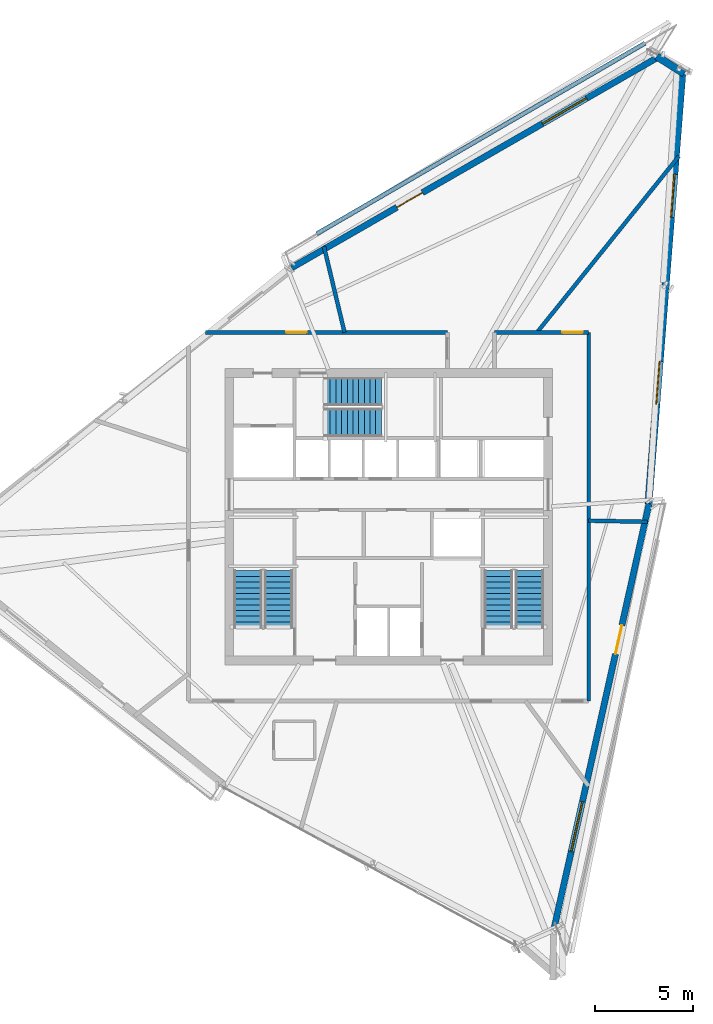
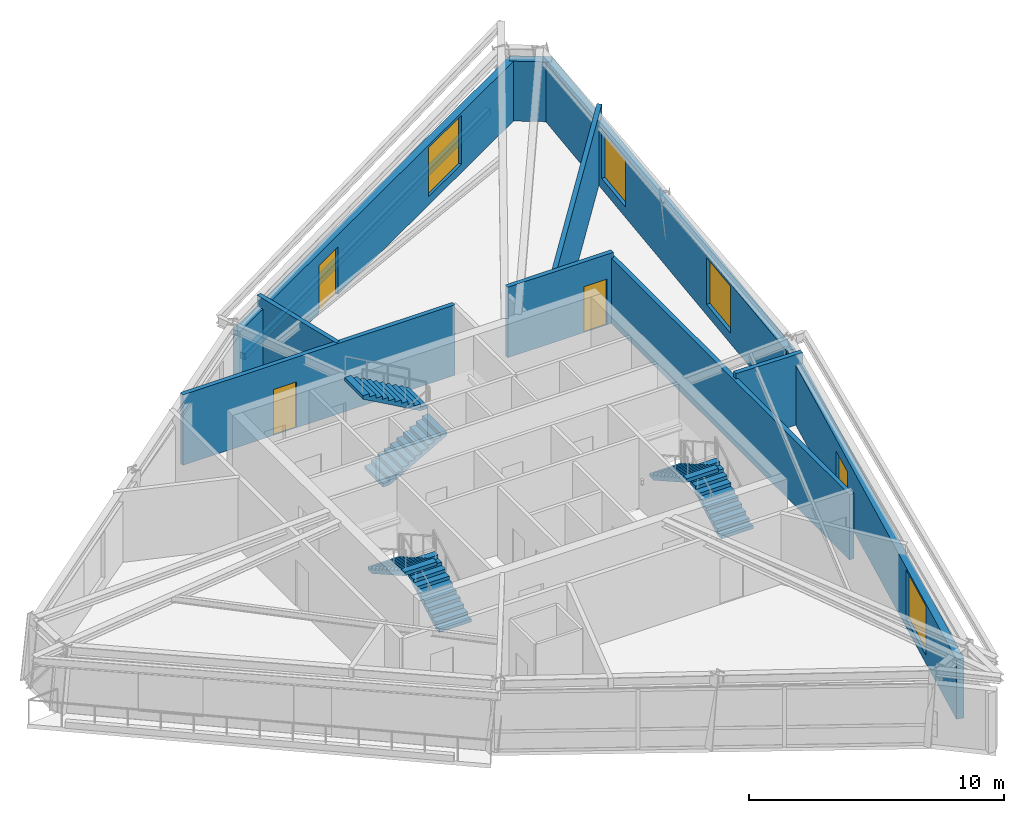
# One storey, part 12 of 15: 11 walls, 6 stair flights, 4 doors, 4 windows, 8 openings, 3 elements without a shape of their own.
"""IFC4 building model written with IfcOpenShell, lengths in metres."""

import ifcopenshell
import ifcopenshell.guid

model = None  # the IFC model being written
_history = None  # IfcOwnerHistory: only IFC2X3 demands one
_inside = {}  # id of a spatial element -> (the spatial element, [elements in it])
_under = {}  # id of a project, library or spatial element -> (it, [spatial elements below it])
_declared = {}  # id of a project -> (the project, [libraries it declares])
_typed = {}  # id of a type object -> (the type object, [elements of that type])
_made_of = {}  # id of a material, layer set ... -> (it, [elements and type objects made of it])


def new_model(schema):
    """Start an empty IFC model of exactly this schema.

    Asked for "IFC4X3", IfcOpenShell would pick the latest addendum, in which some entities
    have other attributes; the version numbers below select the first issue.
    IFC2X3 requires an IfcOwnerHistory on every rooted entity: one is made here for all.
    """
    global model, _history
    if schema == "IFC4X3":
        model = ifcopenshell.file(schema_version=(4, 3, 0, 0))
    else:
        model = ifcopenshell.file(schema=schema)
    _inside.clear()
    _under.clear()
    _declared.clear()
    _typed.clear()
    _made_of.clear()
    _history = None
    if model.schema == "IFC2X3":
        org = make("IfcOrganization", Name="unknown")
        user = make(
            "IfcPersonAndOrganization",
            ThePerson=make("IfcPerson", FamilyName="unknown"),
            TheOrganization=org,
        )
        app = make(
            "IfcApplication",
            ApplicationDeveloper=org,
            Version="unknown",
            ApplicationFullName="unknown",
            ApplicationIdentifier="unknown",
        )
        _history = make(
            "IfcOwnerHistory",
            OwningUser=user,
            OwningApplication=app,
            ChangeAction="ADDED",
            CreationDate=0,
        )
    return model


def make(cls, **values):
    """One entity of the class cls with the attributes given. An attribute that is None is left unset."""
    return model.create_entity(
        cls, **{name: value for name, value in values.items() if value is not None}
    )


def rooted(cls, **values):
    """An entity with a GlobalId (a new one), such as an element, a storey or a relation."""
    return make(cls, GlobalId=ifcopenshell.guid.new(), OwnerHistory=_history, **values)


def si_unit(unit_type, name, prefix=None):
    """IfcSIUnit, for example si_unit("LENGTHUNIT", "METRE", prefix="MILLI")."""
    return make("IfcSIUnit", UnitType=unit_type, Prefix=prefix, Name=name)


def assignment(units):
    """IfcUnitAssignment: the units of a project."""
    return None if units is None else make("IfcUnitAssignment", Units=units)


def point(xyz):
    """IfcCartesianPoint."""
    return None if xyz is None else make("IfcCartesianPoint", Coordinates=xyz)


def direction(xyz):
    """IfcDirection."""
    return None if xyz is None else make("IfcDirection", DirectionRatios=xyz)


def frame(location, z_axis=None, x_axis=None):
    """IfcAxis2Placement3D, a coordinate frame: its origin and axes. An axis left out is left unset."""
    return make(
        "IfcAxis2Placement3D",
        Location=point(location),
        Axis=direction(z_axis),
        RefDirection=direction(x_axis),
    )


def frame_2d(location, x_axis=None):
    """IfcAxis2Placement2D, a coordinate frame in the plane: its origin and x axis."""
    return make(
        "IfcAxis2Placement2D", Location=point(location), RefDirection=direction(x_axis)
    )


def origin():
    """The frame at (0, 0, 0) with its axes left unset."""
    return frame((0.0, 0.0, 0.0))


def place(relative_to, where):
    """IfcLocalPlacement: puts the frame where relative to a parent placement (None: the world)."""
    return make(
        "IfcLocalPlacement", PlacementRelTo=relative_to, RelativePlacement=where
    )


def context(
    kind, dimensions, precision=None, world=None, true_north=None, identifier=None
):
    """IfcGeometricRepresentationContext, for example the 3D "Model" context."""
    return make(
        "IfcGeometricRepresentationContext",
        ContextIdentifier=identifier,
        ContextType=kind,
        CoordinateSpaceDimension=dimensions,
        Precision=precision,
        WorldCoordinateSystem=world,
        TrueNorth=true_north,
    )


def subcontext(parent, identifier, kind, view, scale=None):
    """IfcGeometricRepresentationSubContext, for example "Body" below "Model"."""
    return make(
        "IfcGeometricRepresentationSubContext",
        ContextIdentifier=identifier,
        ContextType=kind,
        ParentContext=parent,
        TargetScale=scale,
        TargetView=view,
    )


def project(units=None, contexts=None):
    """IfcProject with its units and contexts."""
    return rooted(
        "IfcProject",
        Name="project",
        RepresentationContexts=contexts,
        UnitsInContext=assignment(units),
    )


def spatial(cls, under=None, at=None, **own):
    """A site, building, storey or space (cls), placed at a placement, below another one or the project."""
    s = rooted(cls, ObjectPlacement=at, **own)
    if under is not None:
        _under.setdefault(under.id(), (under, []))[1].append(s)
    return s


def polyline(points):
    """IfcPolyline through the points."""
    return make("IfcPolyline", Points=[point(p) for p in points])


def profile(cls, at=None, kind="AREA", **sizes):
    """A parametric profile (cls). Its sizes go by their IFC names, for example OverallWidth=200.0."""
    return make(cls, ProfileType=kind, Position=at, **sizes)


def rectangle(**sizes):
    """IfcRectangleProfileDef."""
    return profile("IfcRectangleProfileDef", **sizes)


def outline(outer, holes=None, kind="AREA"):
    """IfcArbitraryClosedProfileDef: a profile drawn as a closed curve; with holes, ...WithVoids."""
    if holes is None:
        return make("IfcArbitraryClosedProfileDef", ProfileType=kind, OuterCurve=outer)
    return make(
        "IfcArbitraryProfileDefWithVoids",
        ProfileType=kind,
        OuterCurve=outer,
        InnerCurves=holes,
    )


def extrude(swept, where, along, depth):
    """IfcExtrudedAreaSolid: the profile swept, set in the frame where, extruded along a direction by depth."""
    return make(
        "IfcExtrudedAreaSolid",
        SweptArea=swept,
        Position=where,
        ExtrudedDirection=direction(along),
        Depth=depth,
    )


def shape(context_of_items, identifier, shape_type, items):
    """IfcShapeRepresentation: the items that make up one representation, for example the "Body"."""
    return make(
        "IfcShapeRepresentation",
        ContextOfItems=context_of_items,
        RepresentationIdentifier=identifier,
        RepresentationType=shape_type,
        Items=items,
    )


def source(mapping_origin, context_of_items, identifier, shape_type, items):
    """IfcRepresentationMap: a shape defined once, which mapped items show again and again."""
    return make(
        "IfcRepresentationMap",
        MappingOrigin=mapping_origin,
        MappedRepresentation=shape(context_of_items, identifier, shape_type, items),
    )


def transform(
    local_origin,
    x_axis=None,
    y_axis=None,
    z_axis=None,
    scale=None,
    scale2=None,
    scale3=None,
    uniform=True,
):
    """IfcCartesianTransformationOperator3D, or its non-uniform kind. x_axis, y_axis, z_axis: its Axis1, 2, 3."""
    if uniform:
        return make(
            "IfcCartesianTransformationOperator3D",
            Axis1=direction(x_axis),
            Axis2=direction(y_axis),
            LocalOrigin=point(local_origin),
            Scale=scale,
            Axis3=direction(z_axis),
        )
    return make(
        "IfcCartesianTransformationOperator3DnonUniform",
        Axis1=direction(x_axis),
        Axis2=direction(y_axis),
        LocalOrigin=point(local_origin),
        Scale=scale,
        Axis3=direction(z_axis),
        Scale2=scale2,
        Scale3=scale3,
    )


def mapped(mapping_source, mapping_target):
    """IfcMappedItem: shows the shape of a source again, moved by a transform."""
    return make(
        "IfcMappedItem", MappingSource=mapping_source, MappingTarget=mapping_target
    )


def material(Name=None, Category=None):
    """IfcMaterial."""
    return make("IfcMaterial", Name=Name, Category=Category)


def layer(
    of_material, thickness, ventilated=None, Name=None, Category=None, Priority=None
):
    """IfcMaterialLayer: one layer of a wall or slab, of a material (None: an air gap)."""
    return make(
        "IfcMaterialLayer",
        Material=of_material,
        LayerThickness=thickness,
        IsVentilated=ventilated,
        Name=Name,
        Category=Category,
        Priority=Priority,
    )


def layer_set(layers, Name=None):
    """IfcMaterialLayerSet."""
    return make("IfcMaterialLayerSet", MaterialLayers=layers, LayerSetName=Name)


def made_of(thing, what):
    """Note that an element or type object is made of a material, layer set ...; save() writes the relation."""
    if what is not None:
        _made_of.setdefault(what.id(), (what, []))[1].append(thing)
    return thing


def type_object(cls, material=None, **own):
    """A type object (cls), such as IfcWallType, which elements share."""
    return made_of(rooted(cls, **own), material)


def type_shapes(of_type, sources):
    """Give a type object the sources (RepresentationMaps) that its elements show as mapped items."""
    of_type.RepresentationMaps = sources


def element(
    cls,
    number,
    at=None,
    inside=None,
    cuts=None,
    type_object=None,
    material=None,
    context=None,
    identifier="Body",
    shape_type=None,
    held_by="IfcProductDefinitionShape",
    body=None,
    shapes=None,
    **own,
):
    """One element of the class cls, such as IfcWall. Its Tag is "e" and its number.

    at: its placement. inside: the storey or other place that contains it. cuts: it is an
    opening in that element (IfcRelVoidsElement). A single representation is given by context,
    identifier, shape_type and body (its items); several are given by shapes. held_by: the class
    of the entity that holds the representations. save() writes the other relations.
    """
    e = rooted(cls, Tag="e%d" % number, ObjectPlacement=at, **own)
    if body is not None:
        shapes = [shape(context, identifier, shape_type, body)]
    if shapes is not None:
        e.Representation = make(held_by, Representations=shapes)
    if inside is not None:
        _inside.setdefault(inside.id(), (inside, []))[1].append(e)
    if cuts is not None:
        rooted(
            "IfcRelVoidsElement", RelatingBuildingElement=cuts, RelatedOpeningElement=e
        )
    if type_object is not None:
        _typed.setdefault(type_object.id(), (type_object, []))[1].append(e)
    return made_of(e, material)


def fill(opening, filler):
    """IfcRelFillsElement: the door or window that sits in an opening."""
    return rooted(
        "IfcRelFillsElement",
        RelatingOpeningElement=opening,
        RelatedBuildingElement=filler,
    )


def aggregate(whole, parts):
    """IfcRelAggregates: a whole, such as a stair, and the parts it consists of."""
    return rooted("IfcRelAggregates", RelatingObject=whole, RelatedObjects=parts)


def save(model, path):
    """Write the relations noted so far, then the file.

    IfcRelAggregates (storeys below a building ...), IfcRelContainedInSpatialStructure (elements
    in a storey), IfcRelDefinesByType, IfcRelAssociatesMaterial and IfcRelDeclares: one each for
    every whole, place, type object, material and project.
    """
    for whole, parts in _under.values():
        aggregate(whole, parts)
    for where, things in _inside.values():
        rooted(
            "IfcRelContainedInSpatialStructure",
            RelatedElements=things,
            RelatingStructure=where,
        )
    for kind, things in _typed.values():
        rooted("IfcRelDefinesByType", RelatedObjects=things, RelatingType=kind)
    for what, things in _made_of.values():
        rooted("IfcRelAssociatesMaterial", RelatedObjects=things, RelatingMaterial=what)
    for by, libraries in _declared.values():
        rooted("IfcRelDeclares", RelatingContext=by, RelatedDefinitions=libraries)
    model.write(path)


model = new_model("IFC4")

# Units and contexts
model_context = context("Model", 3, precision=1e-05, world=origin(), true_north=direction((0.0, 1.0)))
body_context = subcontext(model_context, "Body", "Model", "MODEL_VIEW")
ifc_project = project(units=[si_unit("LENGTHUNIT", "METRE"), si_unit("AREAUNIT", "SQUARE_METRE"), si_unit("VOLUMEUNIT", "CUBIC_METRE"), si_unit("PLANEANGLEUNIT", "RADIAN"), si_unit("MASSUNIT", "GRAM", prefix="KILO")], contexts=[model_context])

# Site, building, storey
site_placement = place(None, origin())
site = spatial("IfcSite", under=ifc_project, at=site_placement, CompositionType="ELEMENT")
building_placement = place(site_placement, origin())
building = spatial("IfcBuilding", under=site, at=building_placement, Name="Olszyna Solenne Hotel", CompositionType="ELEMENT")
storey_placement = place(building_placement, frame((0.0, 0.0, 270.5)))
storey = spatial("IfcBuildingStorey", under=building, at=storey_placement, Name="L72", CompositionType="ELEMENT", Elevation=270.5)

# Wall, openings, door, window
ifc_material_1 = material(Name="Precast concrete C45/55", Category="concrete")
ifc_layer_1 = layer(ifc_material_1, 0.320068359375, Name="Precast concrete C45/55")
ifc_layer_set_1 = layer_set([ifc_layer_1], Name="Precast concrete C45/55")
wall_type_1 = type_object("IfcWallType", Name="WL-EX320", PredefinedType="SOLIDWALL", material=ifc_layer_set_1)
wall_1_placement = place(storey_placement, frame((51.279541015625, 27.26611328125, 0.0), z_axis=(0.0, 0.0, 1.0), x_axis=(-0.218426207381, -0.975853468472, 0.0)))
wall_1 = element("IfcWall", 1, at=wall_1_placement, inside=storey, type_object=wall_type_1, Name="Exterior terracotta-precast frame wall WL-EX320 EW-L72-01", PredefinedType="SOLIDWALL", context=body_context, shape_type="SweptSolid", body=[
    extrude(rectangle(XDim=22.186767578125, YDim=0.320068359375, at=frame_2d((11.09326171875, 0.0))), origin(), (0.0, 0.0, 1.0), 2.8720703125),
])
opening_1_placement = place(wall_1_placement, frame((6.35009765625, 0.0, 0.0)))
opening_1 = element("IfcOpeningElement", 2, at=opening_1_placement, cuts=wall_1, Name="Opening LDG-L72-3", PredefinedType="OPENING", context=body_context, shape_type="SweptSolid", body=[
    extrude(rectangle(XDim=1.5, YDim=2.300048828125, at=frame_2d((0.75, 1.14990234375))), frame((0.0, 0.169921875, 0.0), z_axis=(0.0, -1.0, 0.0), x_axis=(1.0, 0.0, 0.0)), (0.0, 0.0, 1.0), 0.340087890625),
])
opening_2_placement = place(wall_1_placement, frame((15.568115234375, 0.0, 0.402099609375)))
opening_2 = element("IfcOpeningElement", 3, at=opening_2_placement, cuts=wall_1, Name="Opening WN-L72-480", PredefinedType="OPENING", context=body_context, shape_type="SweptSolid", body=[
    extrude(rectangle(XDim=2.60009765625, YDim=2.35009765625, at=frame_2d((1.300048828125, 1.175048828125))), frame((0.0, 0.169921875, 0.0), z_axis=(0.0, -1.0, 0.0), x_axis=(1.0, 0.0, 0.0)), (0.0, 0.0, 1.0), 0.340087890625),
])
ifc_material_2 = material(Name="Anodised bronze aluminium", Category="aluminium")
door_type_1 = type_object("IfcDoorType", Name="DR-LG2", OperationType="DOUBLE_DOOR_SINGLE_SWING", PredefinedType="DOOR", material=ifc_material_2)
shared_shape_1 = source(origin(), body_context, "Body", "SweptSolid", [
    extrude(rectangle(XDim=1.5, YDim=2.300048828125, at=frame_2d((0.75, 1.14990234375))), frame((0.0, 0.02490234375, 0.0), z_axis=(0.0, -1.0, 0.0), x_axis=(1.0, 0.0, 0.0)), (0.0, 0.0, 1.0), 0.050048828125),
])
type_shapes(door_type_1, [shared_shape_1])
door_1_placement = place(opening_1_placement, origin())
door_1 = element("IfcDoor", 4, at=door_1_placement, inside=storey, type_object=door_type_1, Name="Exterior loggia balcony door DR-LG2 LDG-L72-3", OperationType="DOUBLE_DOOR_SINGLE_SWING", OverallHeight=2.300048828125, OverallWidth=1.5, PredefinedType="DOOR", context=body_context, shape_type="MappedRepresentation", body=[
    mapped(shared_shape_1, transform((0.0, 0.0, 0.0), x_axis=(1.0, 0.0, 0.0), y_axis=(0.0, 1.0, 0.0), z_axis=(0.0, 0.0, 1.0), scale=1.0)),
])
fill(opening_1, door_1)
ifc_material_3 = material(Name="Low-E triple glazing", Category="glass")
window_type_1 = type_object("IfcWindowType", Name="WN-ST1", PartitioningType="SINGLE_PANEL", PredefinedType="WINDOW", material=ifc_material_3)
shared_shape_2 = source(origin(), body_context, "Body", "SweptSolid", [
    extrude(rectangle(XDim=2.60009765625, YDim=2.35009765625, at=frame_2d((1.300048828125, 1.175048828125))), frame((0.0, 0.030029296875, 0.0), z_axis=(0.0, -1.0, 0.0), x_axis=(1.0, 0.0, 0.0)), (0.0, 0.0, 1.0), 0.06005859375),
])
type_shapes(window_type_1, [shared_shape_2])
window_1_placement = place(opening_2_placement, origin())
window_1 = element("IfcWindow", 5, at=window_1_placement, inside=storey, type_object=window_type_1, Name="Loggia room window WN-ST1 WN-L72-480", OverallHeight=2.35009765625, OverallWidth=2.60009765625, PartitioningType="SINGLE_PANEL", PredefinedType="WINDOW", context=body_context, shape_type="MappedRepresentation", body=[
    mapped(shared_shape_2, transform((0.0, 0.0, 0.0), x_axis=(1.0, 0.0, 0.0), y_axis=(0.0, 1.0, 0.0), z_axis=(0.0, 0.0, 1.0), scale=1.0)),
])
fill(opening_2, window_1)

wall_2_placement = place(storey_placement, frame((33.057373046875, 39.2939453125, 0.0), z_axis=(0.0, 0.0, 1.0), x_axis=(0.866967626838, 0.49836445902, 0.0)))
wall_2 = element("IfcWall", 6, at=wall_2_placement, inside=storey, type_object=wall_type_1, Name="Exterior terracotta-precast frame wall WL-EX320 EW-L72-08", PredefinedType="SOLIDWALL", context=body_context, shape_type="SweptSolid", body=[
    extrude(rectangle(XDim=21.67431640625, YDim=0.320068359375, at=frame_2d((10.837158203125, 0.0))), origin(), (0.0, 0.0, 1.0), 2.8720703125),
])
opening_3_placement = place(wall_2_placement, frame((6.18603515625, 0.0, 0.0)))
opening_3 = element("IfcOpeningElement", 7, at=opening_3_placement, cuts=wall_2, Name="Opening LDG-L72-1", PredefinedType="OPENING", context=body_context, shape_type="SweptSolid", body=[
    extrude(rectangle(XDim=1.5, YDim=2.300048828125, at=frame_2d((0.75, 1.14990234375))), frame((0.0, 0.169921875, 0.0), z_axis=(0.0, -1.0, 0.0), x_axis=(1.0, 0.0, 0.0)), (0.0, 0.0, 1.0), 0.340087890625),
])
opening_4_placement = place(wall_2_placement, frame((14.739013671875, 0.0, 0.402099609375)))
opening_4 = element("IfcOpeningElement", 8, at=opening_4_placement, cuts=wall_2, Name="Opening WN-L72-484", PredefinedType="OPENING", context=body_context, shape_type="SweptSolid", body=[
    extrude(rectangle(XDim=2.60009765625, YDim=2.35009765625, at=frame_2d((1.300048828125, 1.175048828125))), frame((0.0, 0.169921875, 0.0), z_axis=(0.0, -1.0, 0.0), x_axis=(1.0, 0.0, 0.0)), (0.0, 0.0, 1.0), 0.340087890625),
])
door_2_placement = place(opening_3_placement, origin())
door_2 = element("IfcDoor", 9, at=door_2_placement, inside=storey, type_object=door_type_1, Name="Exterior loggia balcony door DR-LG2 LDG-L72-1", OperationType="DOUBLE_DOOR_SINGLE_SWING", OverallHeight=2.300048828125, OverallWidth=1.5, PredefinedType="DOOR", context=body_context, shape_type="MappedRepresentation", body=[
    mapped(shared_shape_1, transform((0.0, 0.0, 0.0), x_axis=(1.0, 0.0, 0.0), y_axis=(0.0, 1.0, 0.0), z_axis=(0.0, 0.0, 1.0), scale=1.0)),
])
fill(opening_3, door_2)
window_2_placement = place(opening_4_placement, origin())
window_2 = element("IfcWindow", 10, at=window_2_placement, inside=storey, type_object=window_type_1, Name="Loggia room window WN-ST1 WN-L72-484", OverallHeight=2.35009765625, OverallWidth=2.60009765625, PartitioningType="SINGLE_PANEL", PredefinedType="WINDOW", context=body_context, shape_type="MappedRepresentation", body=[
    mapped(shared_shape_2, transform((0.0, 0.0, 0.0), x_axis=(1.0, 0.0, 0.0), y_axis=(0.0, 1.0, 0.0), z_axis=(0.0, 0.0, 1.0), scale=1.0)),
])
fill(opening_4, window_2)

# Wall
ifc_material_4 = material(Name="Terracotta cladding on precast concrete C45/55", Category="masonry")
ifc_layer_2 = layer(ifc_material_4, 0.3798828125, Name="Terracotta cladding on precast concrete C45/55")
ifc_layer_set_2 = layer_set([ifc_layer_2], Name="Terracotta cladding on precast concrete C45/55")
wall_type_2 = type_object("IfcWallType", Name="WL-EX380", PredefinedType="SOLIDWALL", material=ifc_layer_set_2)
wall_3_placement = place(storey_placement, frame((51.66748046875, 50.073486328125, 0.0), z_axis=(0.0, 0.0, 1.0), x_axis=(0.845747848384, -0.533582774229, 0.0)))
element("IfcWall", 11, at=wall_3_placement, inside=storey, type_object=wall_type_2, Name="Exterior terracotta-precast frame wall WL-EX380 EW-L72-09", PredefinedType="SOLIDWALL", context=body_context, shape_type="SweptSolid", body=[
    extrude(rectangle(XDim=1.6572265625, YDim=0.3798828125, at=frame_2d((0.82861328125, 0.0))), origin(), (0.0, 0.0, 1.0), 2.8720703125),
])

# Wall, openings, windows
wall_4_placement = place(storey_placement, frame((52.98095703125, 49.364990234375, 0.0), z_axis=(0.0, 0.0, 1.0), x_axis=(-0.078193389746, -0.99693820962, 0.0)))
wall_4 = element("IfcWall", 12, at=wall_4_placement, inside=storey, type_object=wall_type_2, Name="Exterior terracotta-precast frame wall WL-EX380 EW-L72-10", PredefinedType="SOLIDWALL", context=body_context, shape_type="SweptSolid", body=[
    extrude(rectangle(XDim=22.186767578125, YDim=0.3798828125, at=frame_2d((11.09326171875, 0.0))), origin(), (0.0, 0.0, 1.0), 2.8720703125),
])
opening_5_placement = place(wall_4_placement, frame((5.31201171875, 0.0, 0.501953125)))
opening_5 = element("IfcOpeningElement", 13, at=opening_5_placement, cuts=wall_4, Name="Opening WN-L72-485", PredefinedType="OPENING", context=body_context, shape_type="SweptSolid", body=[
    extrude(rectangle(XDim=2.199951171875, YDim=2.25, at=frame_2d((1.10009765625, 1.125))), frame((0.0, 0.199951171875, 0.0), z_axis=(0.0, -1.0, 0.0), x_axis=(1.0, 0.0, 0.0)), (0.0, 0.0, 1.0), 0.39990234375),
])
opening_6_placement = place(wall_4_placement, frame((14.8740234375, 0.0, 0.501953125)))
opening_6 = element("IfcOpeningElement", 14, at=opening_6_placement, cuts=wall_4, Name="Opening WN-L72-486", PredefinedType="OPENING", context=body_context, shape_type="SweptSolid", body=[
    extrude(rectangle(XDim=2.199951171875, YDim=2.25, at=frame_2d((1.10009765625, 1.125))), frame((0.0, 0.199951171875, 0.0), z_axis=(0.0, -1.0, 0.0), x_axis=(1.0, 0.0, 0.0)), (0.0, 0.0, 1.0), 0.39990234375),
])
window_type_2 = type_object("IfcWindowType", Name="WN-HT2", PartitioningType="SINGLE_PANEL", PredefinedType="WINDOW", material=ifc_material_3)
shared_shape_3 = source(origin(), body_context, "Body", "SweptSolid", [
    extrude(rectangle(XDim=2.199951171875, YDim=2.25, at=frame_2d((1.10009765625, 1.125))), frame((0.0, 0.030029296875, 0.0), z_axis=(0.0, -1.0, 0.0), x_axis=(1.0, 0.0, 0.0)), (0.0, 0.0, 1.0), 0.06005859375),
])
type_shapes(window_type_2, [shared_shape_3])
window_3_placement = place(opening_5_placement, origin())
window_3 = element("IfcWindow", 15, at=window_3_placement, inside=storey, type_object=window_type_2, Name="Exterior facade window WN-HT2 WN-L72-485", OverallHeight=2.25, OverallWidth=2.199951171875, PartitioningType="SINGLE_PANEL", PredefinedType="WINDOW", context=body_context, shape_type="MappedRepresentation", body=[
    mapped(shared_shape_3, transform((0.0, 0.0, 0.0), x_axis=(1.0, 0.0, 0.0), y_axis=(0.0, 1.0, 0.0), z_axis=(0.0, 0.0, 1.0), scale=1.0)),
])
fill(opening_5, window_3)
window_4_placement = place(opening_6_placement, origin())
window_4 = element("IfcWindow", 16, at=window_4_placement, inside=storey, type_object=window_type_2, Name="Exterior facade window WN-HT2 WN-L72-486", OverallHeight=2.25, OverallWidth=2.199951171875, PartitioningType="SINGLE_PANEL", PredefinedType="WINDOW", context=body_context, shape_type="MappedRepresentation", body=[
    mapped(shared_shape_3, transform((0.0, 0.0, 0.0), x_axis=(1.0, 0.0, 0.0), y_axis=(0.0, 1.0, 0.0), z_axis=(0.0, 0.0, 1.0), scale=1.0)),
])
fill(opening_6, window_4)

# Walls
ifc_layer_3 = layer(ifc_material_1, 0.219970703125, Name="Precast concrete C45/55")
ifc_layer_set_3 = layer_set([ifc_layer_3], Name="Precast concrete C45/55")
wall_type_3 = type_object("IfcWallType", Name="WL-PR220", PredefinedType="PARAPET", material=ifc_layer_set_3)
wall_5_placement = place(storey_placement, frame((51.070556640625, 50.743896484375, 0.0), z_axis=(0.0, 0.0, 1.0), x_axis=(-0.864808735234, -0.502101435433, 0.0)))
element("IfcWall", 17, at=wall_5_placement, inside=storey, type_object=wall_type_3, Name="Loggia balcony precast kerb PR-L72-LG1", PredefinedType="PARAPET", context=body_context, shape_type="SweptSolid", body=[
    extrude(rectangle(XDim=19.355224609375, YDim=0.219970703125, at=frame_2d((9.677734375, 0.0))), origin(), (0.0, 0.0, 1.0), 0.300048828125),
])
ifc_material_5 = material(Name="Acoustic gypsum partition", Category="gypsum")
ifc_layer_4 = layer(ifc_material_5, 0.199951171875, Name="Acoustic gypsum partition")
ifc_layer_set_4 = layer_set([ifc_layer_4], Name="Acoustic gypsum partition")
wall_type_4 = type_object("IfcWallType", Name="WL-PT200", PredefinedType="PARTITIONING", material=ifc_layer_set_4)
wall_6_placement = place(storey_placement, frame((48.199951171875, 26.40087890625, 0.0), z_axis=(0.0, 0.0, 1.0), x_axis=(0.999808476489, -0.019570650003, 0.0)))
element("IfcWall", 18, at=wall_6_placement, inside=storey, type_object=wall_type_4, Name="Interior acoustic partition WL-PT200 PW-L72-3966", PredefinedType="PARTITIONING", context=body_context, shape_type="SweptSolid", body=[
    extrude(rectangle(XDim=3.00634765625, YDim=0.199951171875, at=frame_2d((1.503173828125, 0.0))), origin(), (0.0, 0.0, 1.0), 3.3798828125),
])
wall_7_placement = place(storey_placement, frame((45.5654296875, 36.0, 0.0), z_axis=(0.0, 0.0, 1.0), x_axis=(0.626997187815, 0.779021518619, 0.0)))
element("IfcWall", 19, at=wall_7_placement, inside=storey, type_object=wall_type_4, Name="Interior acoustic partition WL-PT200 PW-L72-3967", PredefinedType="PARTITIONING", context=body_context, shape_type="SweptSolid", body=[
    extrude(rectangle(XDim=11.535400390625, YDim=0.199951171875, at=frame_2d((5.767578125, 0.0))), origin(), (0.0, 0.0, 1.0), 3.3798828125),
])
wall_8_placement = place(storey_placement, frame((35.75, 36.0, 0.0), z_axis=(0.0, 0.0, 1.0), x_axis=(-0.232846936367, 0.972513395396, 0.0)))
element("IfcWall", 20, at=wall_8_placement, inside=storey, type_object=wall_type_4, Name="Interior acoustic partition WL-PT200 PW-L72-3968", PredefinedType="PARTITIONING", context=body_context, shape_type="SweptSolid", body=[
    extrude(rectangle(XDim=4.51171875, YDim=0.199951171875, at=frame_2d((2.255859375, 0.0))), origin(), (0.0, 0.0, 1.0), 3.3798828125),
])

# Wall, opening, door
wall_9_placement = place(storey_placement, frame((28.66650390625, 36.0, 0.0), z_axis=(0.0, 0.0, 1.0), x_axis=(1.0, 0.0, 0.0)))
wall_9 = element("IfcWall", 21, at=wall_9_placement, inside=storey, type_object=wall_type_4, Name="Interior acoustic partition WL-PT200 PW-L72-3977", PredefinedType="PARTITIONING", context=body_context, shape_type="SweptSolid", body=[
    extrude(rectangle(XDim=12.33349609375, YDim=0.199951171875, at=frame_2d((6.166748046875, 0.0))), origin(), (0.0, 0.0, 1.0), 3.3798828125),
])
opening_7_placement = place(wall_9_placement, frame((4.10498046875, 0.0, 0.0)))
opening_7 = element("IfcOpeningElement", 22, at=opening_7_placement, cuts=wall_9, Name="Opening DR-L72-0965", PredefinedType="OPENING", context=body_context, shape_type="SweptSolid", body=[
    extrude(rectangle(XDim=1.050048828125, YDim=2.199951171875, at=frame_2d((0.52490234375, 1.10009765625))), frame((0.0, 0.10986328125, 0.0), z_axis=(0.0, -1.0, 0.0), x_axis=(1.0, 0.0, 0.0)), (0.0, 0.0, 1.0), 0.219970703125),
])
ifc_material_6 = material(Name="Timber hardwood", Category="wood")
door_type_2 = type_object("IfcDoorType", Name="DR-RM2", OperationType="NOTDEFINED", PredefinedType="DOOR", material=ifc_material_6)
shared_shape_4 = source(origin(), body_context, "Body", "SweptSolid", [
    extrude(rectangle(XDim=1.050048828125, YDim=2.199951171875, at=frame_2d((0.52490234375, 1.10009765625))), frame((0.0, 0.02490234375, 0.0), z_axis=(0.0, -1.0, 0.0), x_axis=(1.0, 0.0, 0.0)), (0.0, 0.0, 1.0), 0.050048828125),
])
type_shapes(door_type_2, [shared_shape_4])
door_3_placement = place(opening_7_placement, origin())
door_3 = element("IfcDoor", 23, at=door_3_placement, inside=storey, type_object=door_type_2, Name="Boutique Art Gallery Entrance Door DR-L72-0965", OperationType="SINGLE_SWING_LEFT", OverallHeight=2.199951171875, OverallWidth=1.050048828125, PredefinedType="DOOR", context=body_context, shape_type="MappedRepresentation", body=[
    mapped(shared_shape_4, transform((0.0, 0.0, 0.0), x_axis=(1.0, 0.0, 0.0), y_axis=(0.0, 1.0, 0.0), z_axis=(0.0, 0.0, 1.0), scale=1.0)),
])
fill(opening_7, door_3)

wall_10_placement = place(storey_placement, frame((43.39990234375, 36.0, 0.0), z_axis=(0.0, 0.0, 1.0), x_axis=(1.0, 0.0, 0.0)))
wall_10 = element("IfcWall", 24, at=wall_10_placement, inside=storey, type_object=wall_type_4, Name="Interior acoustic partition WL-PT200 PW-L72-3979", PredefinedType="PARTITIONING", context=body_context, shape_type="SweptSolid", body=[
    extrude(rectangle(XDim=4.800048828125, YDim=0.199951171875, at=frame_2d((2.39990234375, 0.0))), origin(), (0.0, 0.0, 1.0), 3.3798828125),
])
opening_8_placement = place(wall_10_placement, frame((3.449951171875, 0.0, 0.0)))
opening_8 = element("IfcOpeningElement", 25, at=opening_8_placement, cuts=wall_10, Name="Opening DR-L72-0967", PredefinedType="OPENING", context=body_context, shape_type="SweptSolid", body=[
    extrude(rectangle(XDim=1.050048828125, YDim=2.199951171875, at=frame_2d((0.52490234375, 1.10009765625))), frame((0.0, 0.10986328125, 0.0), z_axis=(0.0, -1.0, 0.0), x_axis=(1.0, 0.0, 0.0)), (0.0, 0.0, 1.0), 0.219970703125),
])
door_4_placement = place(opening_8_placement, origin())
door_4 = element("IfcDoor", 26, at=door_4_placement, inside=storey, type_object=door_type_2, Name="Wellness Spa Studio Entrance Door DR-L72-0967", OperationType="SINGLE_SWING_LEFT", OverallHeight=2.199951171875, OverallWidth=1.050048828125, PredefinedType="DOOR", context=body_context, shape_type="MappedRepresentation", body=[
    mapped(shared_shape_4, transform((0.0, 0.0, 0.0), x_axis=(1.0, 0.0, 0.0), y_axis=(0.0, 1.0, 0.0), z_axis=(0.0, 0.0, 1.0), scale=1.0)),
])
fill(opening_8, door_4)

# Wall
wall_11_placement = place(storey_placement, frame((48.199951171875, 17.199951171875, 0.0), z_axis=(0.0, 0.0, 1.0), x_axis=(0.0, 1.0, 0.0)))
element("IfcWall", 27, at=wall_11_placement, inside=storey, type_object=wall_type_4, Name="Interior acoustic partition WL-PT200 PW-L72-3981", PredefinedType="PARTITIONING", context=body_context, shape_type="SweptSolid", body=[
    extrude(rectangle(XDim=18.800048828125, YDim=0.199951171875, at=frame_2d((9.39990234375, 0.0))), origin(), (0.0, 0.0, 1.0), 3.125),
])

# Stair, stair flights
ifc_material_7 = material(Name="Concrete C40/50", Category="concrete")
stair_type = type_object("IfcStairType", Name="STR-C1", PredefinedType="TWO_QUARTER_WINDING_STAIR", material=ifc_material_7)
stair_1_placement = place(storey_placement, origin())
stair_1 = element("IfcStair", 28, at=stair_1_placement, inside=storey, type_object=stair_type, Name="L72 ST1", PredefinedType="TWO_QUARTER_WINDING_STAIR")
stair_flight_type = type_object("IfcStairFlightType", Name="FLT-C1", PredefinedType="STRAIGHT", material=ifc_material_7)
stair_flight_1_placement = place(storey_placement, frame((32.39501953125, 20.949951171875, 0.0), z_axis=(0.0, 0.0, 1.0), x_axis=(0.0, 1.0, 0.0)))
stair_flight_1 = element("IfcStairFlight", 29, at=stair_flight_1_placement, type_object=stair_flight_type, Name="ST1 flight 1", NumberOfRisers=11, NumberOfTreads=10, PredefinedType="STRAIGHT", RiserHeight=0.163636364, TreadLength=0.29, context=body_context, shape_type="SweptSolid", body=[
    extrude(outline(polyline([(0.0, 0.0), (0.0, 0.16357421875), (0.2900390625, 0.16357421875), (0.2900390625, 0.327392578125), (0.580078125, 0.327392578125), (0.580078125, 0.490966796875), (0.8701171875, 0.490966796875), (0.8701171875, 0.654541015625), (1.159912109375, 0.654541015625), (1.159912109375, 0.818115234375), (1.449951171875, 0.818115234375), (1.449951171875, 0.98193359375), (1.739990234375, 0.98193359375), (1.739990234375, 1.1455078125), (2.030029296875, 1.1455078125), (2.030029296875, 1.30908203125), (2.320068359375, 1.30908203125), (2.320068359375, 1.47265625), (2.610107421875, 1.47265625), (2.610107421875, 1.636474609375), (2.89990234375, 1.636474609375), (2.89990234375, 1.800048828125), (2.89990234375, 1.46435546875), (0.304931640625, 0.0), (0.0, 0.0)])), frame((0.0, 0.72509765625, 0.0), z_axis=(0.0, -1.0, 0.0), x_axis=(1.0, 0.0, 0.0)), (0.0, 0.0, 1.0), 1.449951171875),
])
stair_flight_2_placement = place(storey_placement, frame((30.824951171875, 23.85009765625, 1.800048828125), z_axis=(0.0, 0.0, 1.0), x_axis=(0.0, -1.0, 0.0)))
stair_flight_2 = element("IfcStairFlight", 30, at=stair_flight_2_placement, type_object=stair_flight_type, Name="ST1 flight 2", NumberOfRisers=11, NumberOfTreads=10, PredefinedType="STRAIGHT", RiserHeight=0.163636364, TreadLength=0.29, context=body_context, shape_type="SweptSolid", body=[
    extrude(outline(polyline([(0.0, 0.0), (0.0, 0.16357421875), (0.2900390625, 0.16357421875), (0.2900390625, 0.327392578125), (0.580078125, 0.327392578125), (0.580078125, 0.490966796875), (0.8701171875, 0.490966796875), (0.8701171875, 0.654541015625), (1.159912109375, 0.654541015625), (1.159912109375, 0.818115234375), (1.449951171875, 0.818115234375), (1.449951171875, 0.98193359375), (1.739990234375, 0.98193359375), (1.739990234375, 1.1455078125), (2.030029296875, 1.1455078125), (2.030029296875, 1.30908203125), (2.320068359375, 1.30908203125), (2.320068359375, 1.47265625), (2.610107421875, 1.47265625), (2.610107421875, 1.636474609375), (2.89990234375, 1.636474609375), (2.89990234375, 1.800048828125), (2.89990234375, 1.46435546875), (0.304931640625, 0.0), (0.0, 0.0)])), frame((0.0, 0.72509765625, 0.0), z_axis=(0.0, -1.0, 0.0), x_axis=(1.0, 0.0, 0.0)), (0.0, 0.0, 1.0), 1.449951171875),
])
aggregate(stair_1, [stair_flight_1, stair_flight_2])

stair_2_placement = place(storey_placement, origin())
stair_2 = element("IfcStair", 31, at=stair_2_placement, inside=storey, type_object=stair_type, Name="L72 ST2", PredefinedType="TWO_QUARTER_WINDING_STAIR")
stair_flight_3_placement = place(storey_placement, frame((45.175048828125, 20.949951171875, 0.0), z_axis=(0.0, 0.0, 1.0), x_axis=(0.0, 1.0, 0.0)))
stair_flight_3 = element("IfcStairFlight", 32, at=stair_flight_3_placement, type_object=stair_flight_type, Name="ST2 flight 1", NumberOfRisers=11, NumberOfTreads=10, PredefinedType="STRAIGHT", RiserHeight=0.163636364, TreadLength=0.29, context=body_context, shape_type="SweptSolid", body=[
    extrude(outline(polyline([(0.0, 0.0), (0.0, 0.16357421875), (0.2900390625, 0.16357421875), (0.2900390625, 0.327392578125), (0.580078125, 0.327392578125), (0.580078125, 0.490966796875), (0.8701171875, 0.490966796875), (0.8701171875, 0.654541015625), (1.159912109375, 0.654541015625), (1.159912109375, 0.818115234375), (1.449951171875, 0.818115234375), (1.449951171875, 0.98193359375), (1.739990234375, 0.98193359375), (1.739990234375, 1.1455078125), (2.030029296875, 1.1455078125), (2.030029296875, 1.30908203125), (2.320068359375, 1.30908203125), (2.320068359375, 1.47265625), (2.610107421875, 1.47265625), (2.610107421875, 1.636474609375), (2.89990234375, 1.636474609375), (2.89990234375, 1.800048828125), (2.89990234375, 1.46435546875), (0.304931640625, 0.0), (0.0, 0.0)])), frame((0.0, 0.72509765625, 0.0), z_axis=(0.0, -1.0, 0.0), x_axis=(1.0, 0.0, 0.0)), (0.0, 0.0, 1.0), 1.449951171875),
])
stair_flight_4_placement = place(storey_placement, frame((43.60498046875, 23.85009765625, 1.800048828125), z_axis=(0.0, 0.0, 1.0), x_axis=(0.0, -1.0, 0.0)))
stair_flight_4 = element("IfcStairFlight", 33, at=stair_flight_4_placement, type_object=stair_flight_type, Name="ST2 flight 2", NumberOfRisers=11, NumberOfTreads=10, PredefinedType="STRAIGHT", RiserHeight=0.163636364, TreadLength=0.29, context=body_context, shape_type="SweptSolid", body=[
    extrude(outline(polyline([(0.0, 0.0), (0.0, 0.16357421875), (0.2900390625, 0.16357421875), (0.2900390625, 0.327392578125), (0.580078125, 0.327392578125), (0.580078125, 0.490966796875), (0.8701171875, 0.490966796875), (0.8701171875, 0.654541015625), (1.159912109375, 0.654541015625), (1.159912109375, 0.818115234375), (1.449951171875, 0.818115234375), (1.449951171875, 0.98193359375), (1.739990234375, 0.98193359375), (1.739990234375, 1.1455078125), (2.030029296875, 1.1455078125), (2.030029296875, 1.30908203125), (2.320068359375, 1.30908203125), (2.320068359375, 1.47265625), (2.610107421875, 1.47265625), (2.610107421875, 1.636474609375), (2.89990234375, 1.636474609375), (2.89990234375, 1.800048828125), (2.89990234375, 1.46435546875), (0.304931640625, 0.0), (0.0, 0.0)])), frame((0.0, 0.72509765625, 0.0), z_axis=(0.0, -1.0, 0.0), x_axis=(1.0, 0.0, 0.0)), (0.0, 0.0, 1.0), 1.449951171875),
])
aggregate(stair_2, [stair_flight_3, stair_flight_4])

stair_3_placement = place(storey_placement, origin())
stair_3 = element("IfcStair", 34, at=stair_3_placement, inside=storey, type_object=stair_type, Name="L72 ST3", PredefinedType="TWO_QUARTER_WINDING_STAIR")
stair_flight_5_placement = place(storey_placement, frame((34.72998046875, 31.405029296875, 0.0), z_axis=(0.0, 0.0, 1.0), x_axis=(1.0, 0.0, 0.0)))
stair_flight_5 = element("IfcStairFlight", 35, at=stair_flight_5_placement, type_object=stair_flight_type, Name="ST3 flight 1", NumberOfRisers=11, NumberOfTreads=10, PredefinedType="STRAIGHT", RiserHeight=0.163636364, TreadLength=0.29, context=body_context, shape_type="SweptSolid", body=[
    extrude(outline(polyline([(0.0, 0.0), (0.0, 0.16357421875), (0.2900390625, 0.16357421875), (0.2900390625, 0.327392578125), (0.580078125, 0.327392578125), (0.580078125, 0.490966796875), (0.8701171875, 0.490966796875), (0.8701171875, 0.654541015625), (1.159912109375, 0.654541015625), (1.159912109375, 0.818115234375), (1.449951171875, 0.818115234375), (1.449951171875, 0.98193359375), (1.739990234375, 0.98193359375), (1.739990234375, 1.1455078125), (2.030029296875, 1.1455078125), (2.030029296875, 1.30908203125), (2.320068359375, 1.30908203125), (2.320068359375, 1.47265625), (2.610107421875, 1.47265625), (2.610107421875, 1.636474609375), (2.89990234375, 1.636474609375), (2.89990234375, 1.800048828125), (2.89990234375, 1.46435546875), (0.304931640625, 0.0), (0.0, 0.0)])), frame((0.0, 0.72509765625, 0.0), z_axis=(0.0, -1.0, 0.0), x_axis=(1.0, 0.0, 0.0)), (0.0, 0.0, 1.0), 1.449951171875),
])
stair_flight_6_placement = place(storey_placement, frame((37.6298828125, 32.97509765625, 1.800048828125), z_axis=(0.0, 0.0, 1.0), x_axis=(-1.0, 0.0, 0.0)))
stair_flight_6 = element("IfcStairFlight", 36, at=stair_flight_6_placement, type_object=stair_flight_type, Name="ST3 flight 2", NumberOfRisers=11, NumberOfTreads=10, PredefinedType="STRAIGHT", RiserHeight=0.163636364, TreadLength=0.29, context=body_context, shape_type="SweptSolid", body=[
    extrude(outline(polyline([(0.0, 0.0), (0.0, 0.16357421875), (0.2900390625, 0.16357421875), (0.2900390625, 0.327392578125), (0.580078125, 0.327392578125), (0.580078125, 0.490966796875), (0.8701171875, 0.490966796875), (0.8701171875, 0.654541015625), (1.159912109375, 0.654541015625), (1.159912109375, 0.818115234375), (1.449951171875, 0.818115234375), (1.449951171875, 0.98193359375), (1.739990234375, 0.98193359375), (1.739990234375, 1.1455078125), (2.030029296875, 1.1455078125), (2.030029296875, 1.30908203125), (2.320068359375, 1.30908203125), (2.320068359375, 1.47265625), (2.610107421875, 1.47265625), (2.610107421875, 1.636474609375), (2.89990234375, 1.636474609375), (2.89990234375, 1.800048828125), (2.89990234375, 1.46435546875), (0.304931640625, 0.0), (0.0, 0.0)])), frame((0.0, 0.72509765625, 0.0), z_axis=(0.0, -1.0, 0.0), x_axis=(1.0, 0.0, 0.0)), (0.0, 0.0, 1.0), 1.449951171875),
])
aggregate(stair_3, [stair_flight_5, stair_flight_6])

save(model, "model.ifc")
